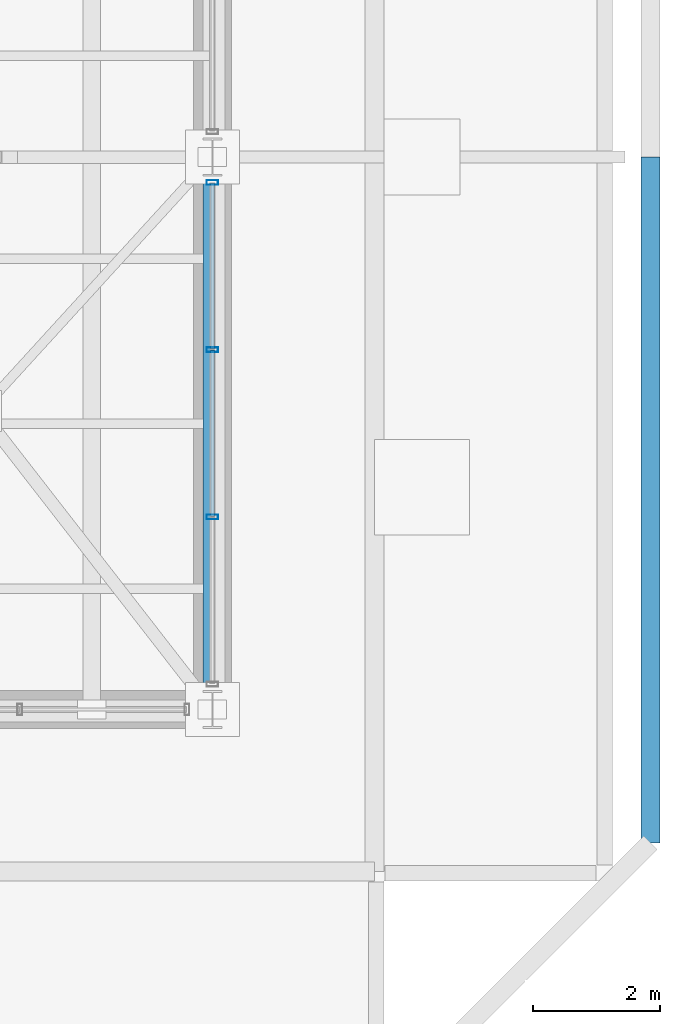
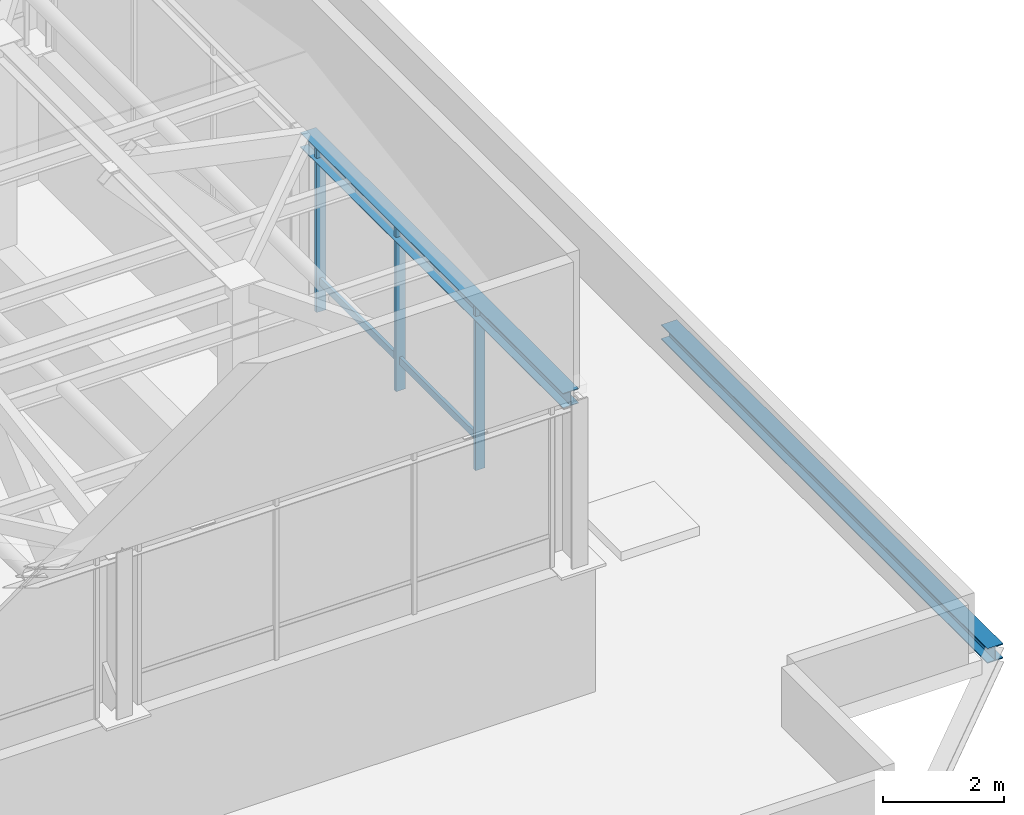
# One storey, part 12 of 22: 5 members, 2 beams, 1 element without a shape of its own.
"""IFC4 building model written with IfcOpenShell, lengths in metres."""

from ifc_helpers import new_model, si_unit, direction, frame, origin, origin_2d, place, context, subcontext, project, spatial, hollow_rectangle, i_section, extrude, material, layer, layer_set, material_profile, profile_set, type_object, element, aggregate, save


model = new_model("IFC4")

# Units and contexts
model_context = context("Model", 3, precision=1e-05, world=origin(), true_north=direction((0.0, 1.0)))
body_context = subcontext(model_context, "Body", "Model", "MODEL_VIEW")
ifc_project = project(units=[si_unit("LENGTHUNIT", "METRE"), si_unit("AREAUNIT", "SQUARE_METRE"), si_unit("VOLUMEUNIT", "CUBIC_METRE"), si_unit("PLANEANGLEUNIT", "RADIAN"), si_unit("MASSUNIT", "GRAM", prefix="KILO")], contexts=[model_context])

# Site, building, storey
site_placement = place(None, origin())
site = spatial("IfcSite", under=ifc_project, at=site_placement, CompositionType="ELEMENT")
building_placement = place(site_placement, origin())
building = spatial("IfcBuilding", under=site, at=building_placement, Name="Belovzor Exchange Tower", CompositionType="ELEMENT")
storey_placement = place(building_placement, frame((0.0, 0.0, 378.60009765625)))
storey = spatial("IfcBuildingStorey", under=building, at=storey_placement, Name="RF", CompositionType="ELEMENT", Elevation=378.60009765625)

# Beams
ifc_material_1 = material(Name="Steel S355", Category="steel")
ifc_material_profile_1 = material_profile(ifc_material_1, i_section(OverallWidth=0.300048828125, OverallDepth=0.300048828125, WebThickness=0.010986328125, FlangeThickness=0.01904296875, at=origin_2d()))
ifc_profile_set_1 = profile_set([ifc_material_profile_1], Name="Steel S355")
beam_type_1 = type_object("IfcBeamType", Name="Crown Plant Primary Beam HEB 300", PredefinedType="BEAM", material=ifc_profile_set_1)
beam_1_placement = place(storey_placement, frame((44.39990234375, 18.0, -0.4501953125), z_axis=(0.0, 1.0, 0.0), x_axis=(-1.0, 0.0, 0.0)))
element("IfcBeam", 1, at=beam_1_placement, inside=storey, type_object=beam_type_1, Name="FG-CR Crown Plant Primary Beam HEB 300", PredefinedType="BEAM", context=body_context, shape_type="SweptSolid", body=[
    extrude(i_section(OverallWidth=0.300048828125, OverallDepth=0.300048828125, WebThickness=0.010986328125, FlangeThickness=0.01904296875, at=origin_2d()), origin(), (0.0, 0.0, 1.0), 10.800048828125),
])
ifc_material_2 = material(Name="Steel S355", Category="steel")
ifc_material_profile_2 = material_profile(ifc_material_2, i_section(OverallWidth=0.300048828125, OverallDepth=0.300048828125, WebThickness=0.008544921875, FlangeThickness=0.013916015625, at=origin_2d()))
ifc_profile_set_2 = profile_set([ifc_material_profile_2], Name="Steel S355")
beam_type_2 = type_object("IfcBeamType", Name="Crown Ring & Trim Beam HEA 300", PredefinedType="BEAM", material=ifc_profile_set_2)
beam_2_placement = place(storey_placement, frame((37.5, 20.10009765625, 5.849853515625), z_axis=(0.0, 1.0, 0.0), x_axis=(-1.0, 0.0, 0.0)))
element("IfcBeam", 2, at=beam_2_placement, inside=storey, type_object=beam_type_2, Name="CB-CR Crown Ring & Trim Beam HEA 300", PredefinedType="BEAM", context=body_context, shape_type="SweptSolid", body=[
    extrude(i_section(OverallWidth=0.300048828125, OverallDepth=0.300048828125, WebThickness=0.008544921875, FlangeThickness=0.013916015625, at=origin_2d()), origin(), (0.0, 0.0, 1.0), 8.699951171875),
])

# Curtain wall, members
ifc_material_3 = material(Name="Anodised Aluminium Framing", Category="aluminium")
ifc_layer = layer(ifc_material_3, 0.169921875)
ifc_layer_set = layer_set([ifc_layer], Name="Anodised Aluminium Framing")
curtain_wall_type = type_object("IfcCurtainWallType", Name="Stepped Crown Faceted Lantern Curtain Wall", PredefinedType="NOTDEFINED", material=ifc_layer_set)
curtain_wall_placement = place(storey_placement, origin())
curtain_wall = element("IfcCurtainWall", 3, at=curtain_wall_placement, inside=storey, type_object=curtain_wall_type, Name="CW6 Stepped Crown Faceted Lantern Curtain Wall RF", PredefinedType="NOTDEFINED")
ifc_material_4 = material(Name="Steel S355", Category="steel")
ifc_material_profile_3 = material_profile(ifc_material_4, hollow_rectangle(XDim=0.074951171875, YDim=0.179931640625, WallThickness=0.0048828125, at=origin_2d()))
ifc_profile_set_3 = profile_set([ifc_material_profile_3], Name="Steel S355")
member_type_1 = type_object("IfcMemberType", Name="Thermally Broken Curtain Wall Mullion 180x75", PredefinedType="MULLION", material=ifc_profile_set_3)
member_1_placement = place(storey_placement, frame((37.5, 28.39990234375, 2.599853515625), z_axis=(0.0, 0.0, 1.0), x_axis=(0.0, -1.0, 0.0)))
member_1 = element("IfcMember", 4, at=member_1_placement, type_object=member_type_1, Name="CW-M180 Curtain Wall Mullion 1", PredefinedType="MULLION", context=body_context, shape_type="SweptSolid", body=[
    extrude(hollow_rectangle(XDim=0.074951171875, YDim=0.179931640625, WallThickness=0.0048828125, at=origin_2d()), origin(), (0.0, 0.0, 1.0), 3.35009765625),
])
member_2_placement = place(storey_placement, frame((37.5, 25.76708984375, 2.599853515625), z_axis=(0.0, 0.0, 1.0), x_axis=(0.0, -1.0, 0.0)))
member_2 = element("IfcMember", 5, at=member_2_placement, type_object=member_type_1, Name="CW-M180 Curtain Wall Mullion 2", PredefinedType="MULLION", context=body_context, shape_type="SweptSolid", body=[
    extrude(hollow_rectangle(XDim=0.074951171875, YDim=0.179931640625, WallThickness=0.0048828125, at=origin_2d()), origin(), (0.0, 0.0, 1.0), 3.35009765625),
])
member_3_placement = place(storey_placement, frame((37.5, 23.133056640625, 2.599853515625), z_axis=(0.0, 0.0, 1.0), x_axis=(0.0, -1.0, 0.0)))
member_3 = element("IfcMember", 6, at=member_3_placement, type_object=member_type_1, Name="CW-M180 Curtain Wall Mullion 3", PredefinedType="MULLION", context=body_context, shape_type="SweptSolid", body=[
    extrude(hollow_rectangle(XDim=0.074951171875, YDim=0.179931640625, WallThickness=0.0048828125, at=origin_2d()), origin(), (0.0, 0.0, 1.0), 3.35009765625),
])
ifc_material_5 = material(Name="Steel S355", Category="steel")
ifc_material_profile_4 = material_profile(ifc_material_5, hollow_rectangle(XDim=0.06005859375, YDim=0.14990234375, WallThickness=0.00390625, at=origin_2d()))
ifc_profile_set_4 = profile_set([ifc_material_profile_4], Name="Steel S355")
member_type_2 = type_object("IfcMemberType", Name="Thermally Broken Curtain Wall Transom 150x60", PredefinedType="USERDEFINED", material=ifc_profile_set_4)
member_4_placement = place(storey_placement, frame((37.5, 28.39208984375, 3.202880859375), z_axis=(0.0, -1.0, 0.0), x_axis=(1.0, 0.0, 0.0)))
member_4 = element("IfcMember", 7, at=member_4_placement, type_object=member_type_2, Name="CW-T150 Curtain Wall Transom 1", ObjectType="TRANSOM", PredefinedType="USERDEFINED", context=body_context, shape_type="SweptSolid", body=[
    extrude(hollow_rectangle(XDim=0.06005859375, YDim=0.14990234375, WallThickness=0.00390625, at=origin_2d()), origin(), (0.0, 0.0, 1.0), 2.6171875),
])
member_5_placement = place(storey_placement, frame((37.5, 25.759033203125, 3.202880859375), z_axis=(0.0, -1.0, 0.0), x_axis=(1.0, 0.0, 0.0)))
member_5 = element("IfcMember", 8, at=member_5_placement, type_object=member_type_2, Name="CW-T150 Curtain Wall Transom 2", ObjectType="TRANSOM", PredefinedType="USERDEFINED", context=body_context, shape_type="SweptSolid", body=[
    extrude(hollow_rectangle(XDim=0.06005859375, YDim=0.14990234375, WallThickness=0.00390625, at=origin_2d()), origin(), (0.0, 0.0, 1.0), 2.617919921875),
])
aggregate(curtain_wall, [member_1, member_2, member_3, member_4, member_5])

save(model, "model.ifc")
